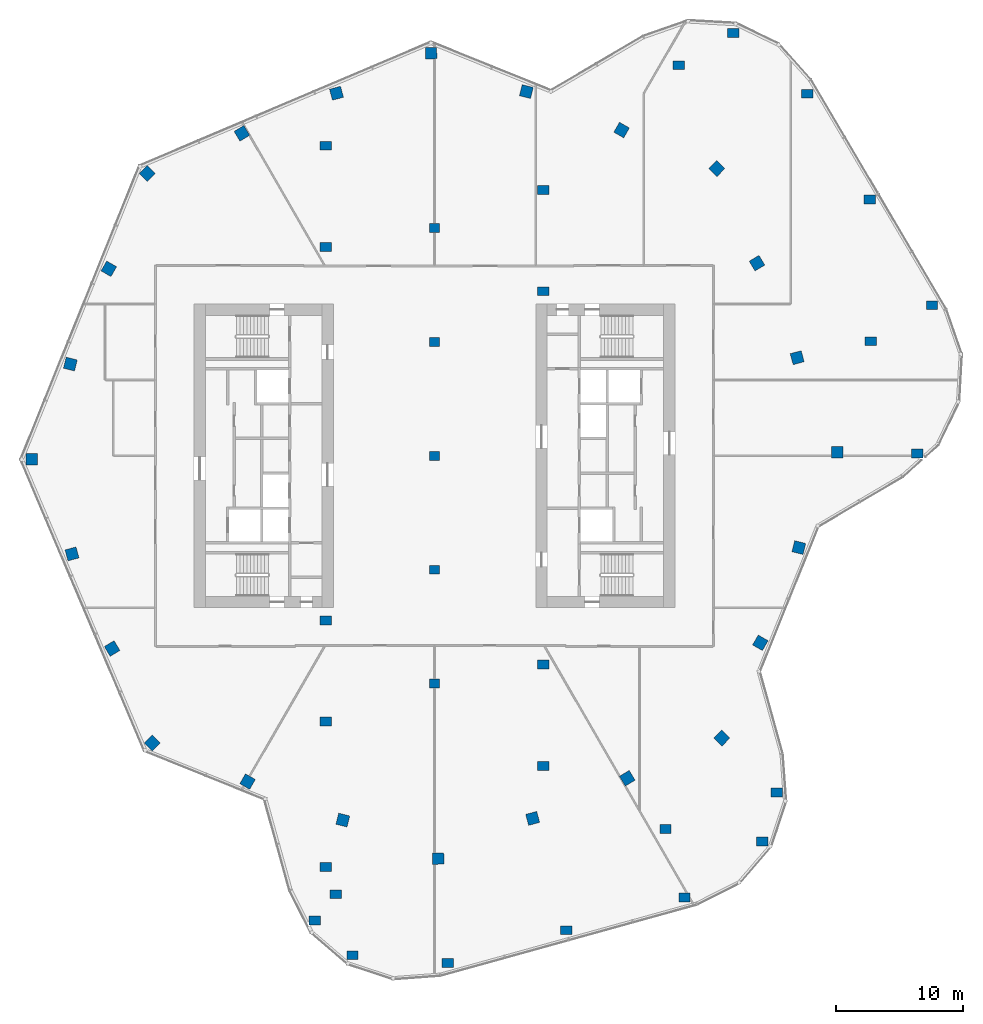
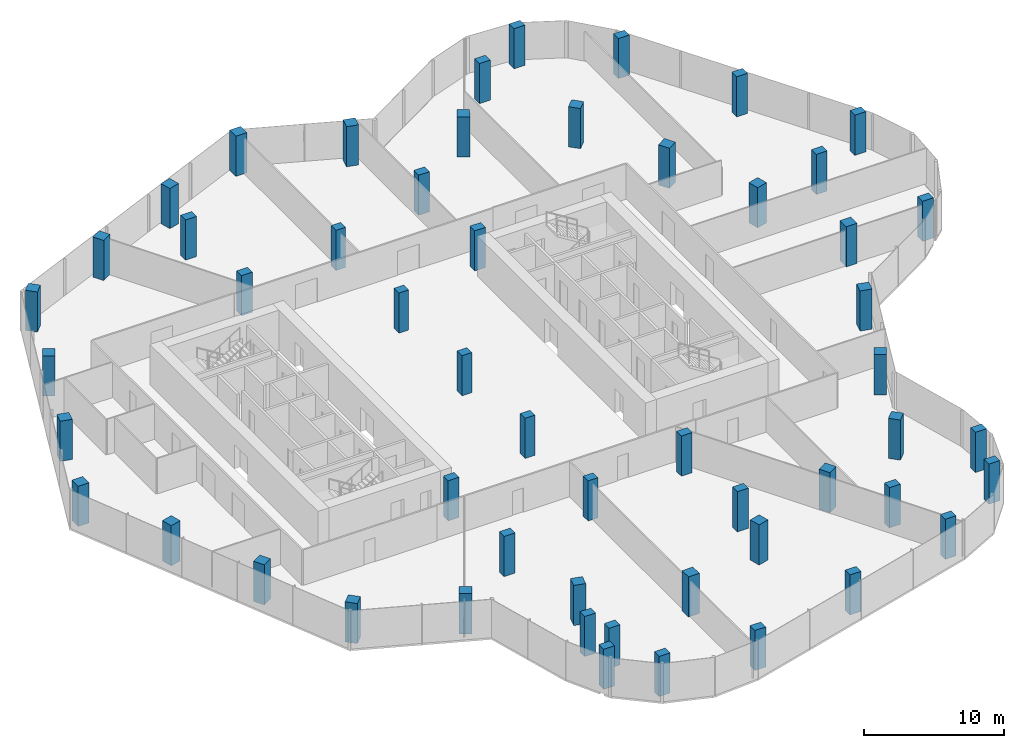
# One storey, part 1 of 16: 54 columns.
"""IFC4 building model written with IfcOpenShell, lengths in metres."""

from ifc_helpers import new_model, si_unit, direction, frame, origin, origin_2d, place, context, subcontext, project, spatial, rectangle, extrude, material, material_profile, profile_set, type_object, element, save


model = new_model("IFC4")

# Units and contexts
model_context = context("Model", 3, precision=1e-05, world=origin(), true_north=direction((0.0, 1.0)))
body_context = subcontext(model_context, "Body", "Model", "MODEL_VIEW")
ifc_project = project(units=[si_unit("LENGTHUNIT", "METRE"), si_unit("AREAUNIT", "SQUARE_METRE"), si_unit("VOLUMEUNIT", "CUBIC_METRE"), si_unit("PLANEANGLEUNIT", "RADIAN"), si_unit("MASSUNIT", "GRAM", prefix="KILO")], contexts=[model_context])

# Site, building, storey
site_placement = place(None, origin())
site = spatial("IfcSite", under=ifc_project, at=site_placement, CompositionType="ELEMENT")
building_placement = place(site_placement, origin())
building = spatial("IfcBuilding", under=site, at=building_placement, Name="Orlundy Tower", CompositionType="ELEMENT")
storey_placement = place(building_placement, frame((0.0, 0.0, 285.89990234375)))
storey = spatial("IfcBuildingStorey", under=building, at=storey_placement, Name="L76", CompositionType="ELEMENT", Elevation=285.89990234375)

# Columns
ifc_material_1 = material(Name="Concrete C50/60", Category="concrete")
ifc_material_profile_1 = material_profile(ifc_material_1, rectangle(XDim=0.800048828125, YDim=0.699951171875, at=origin_2d()), Name="RC800X700")
ifc_profile_set_1 = profile_set([ifc_material_profile_1], Name="Concrete C50/60")
column_type_1 = type_object("IfcColumnType", Name="RC COLUMN RC800X700 C50/60", PredefinedType="COLUMN", material=ifc_profile_set_1)
for number, where, z_axis, x_axis, name in (
    (1, (0.0, -18.0, 0.0), (0.0, 0.0, 1.0), (1.0, 0.0, 0.0), "Column C-M1 L76"),
    (2, (0.0, -9.0, 0.0), (0.0, 0.0, 1.0), (1.0, 0.0, 0.0), "Column C-M2 L76"),
    (3, (0.0, 0.0, 0.0), (0.0, 0.0, 1.0), (1.0, 0.0, 0.0), "Column C-M3 L76"),
    (4, (0.0, 9.0, 0.0), (0.0, 0.0, 1.0), (1.0, 0.0, 0.0), "Column C-M4 L76"),
    (5, (0.0, 18.0, 0.0), (0.0, 0.0, 1.0), (1.0, 0.0, 0.0), "Column C-M5 L76"),
):
    element("IfcColumn", number, at=place(storey_placement, frame(where, z_axis=z_axis, x_axis=x_axis)), inside=storey, type_object=column_type_1, Name=name, PredefinedType="COLUMN", context=body_context, shape_type="SweptSolid", body=[
        extrude(rectangle(XDim=0.800048828125, YDim=0.699951171875, at=origin_2d()), origin(), (0.0, 0.0, 1.0), 3.5),
    ])
ifc_material_2 = material(Name="Concrete C50/60", Category="concrete")
ifc_material_profile_2 = material_profile(ifc_material_2, rectangle(XDim=0.89990234375, YDim=0.699951171875, at=origin_2d()), Name="RC900X700")
ifc_profile_set_2 = profile_set([ifc_material_profile_2], Name="Concrete C50/60")
column_type_2 = type_object("IfcColumnType", Name="RC COLUMN RC900X700 C50/60", PredefinedType="COLUMN", material=ifc_profile_set_2)
for number, where, z_axis, x_axis, name in (
    (6, (38.1279296875, 0.195068359375, 0.0), (0.0, 0.0, 1.0), (1.0, 0.0, 0.0), "Column C-A1-1 L76"),
    (7, (39.302001953125, 11.89306640625, 0.0), (0.0, 0.0, 1.0), (1.0, 0.0, 0.0), "Column C-A2-5 L76"),
    (8, (34.47705078125, 9.051025390625, 0.0), (0.0, 0.0, 1.0), (1.0, 0.0, 0.0), "Column C-A2-6 L76"),
    (9, (34.37890625, 20.2509765625, 0.0), (0.0, 0.0, 1.0), (1.0, 0.0, 0.0), "Column C-A3-5 L76"),
    (10, (29.4560546875, 28.60888671875, 0.0), (0.0, 0.0, 1.0), (1.0, 0.0, 0.0), "Column C-A4-5 L76"),
    (11, (23.610107421875, 33.39697265625, 0.0), (0.0, 0.0, 1.0), (1.0, 0.0, 0.0), "Column C-A5-5 L76"),
    (12, (19.302001953125, 30.860107421875, 0.0), (0.0, 0.0, 1.0), (1.0, 0.0, 0.0), "Column C-A5-6 L76"),
    (13, (-9.468017578125, -36.7080078125, 0.0), (0.0, 0.0, 1.0), (1.0, 0.0, 0.0), "Column C-B1-1 L76"),
    (14, (-6.48388671875, -39.4609375, 0.0), (0.0, 0.0, 1.0), (1.0, 0.0, 0.0), "Column C-B1-5 L76"),
    (15, (-7.820068359375, -34.64306640625, 0.0), (0.0, 0.0, 1.0), (1.0, 0.0, 0.0), "Column C-B1-6 L76"),
    (16, (1.048095703125, -40.076904296875, 0.0), (0.0, 0.0, 1.0), (1.0, 0.0, 0.0), "Column C-B2-5 L76"),
    (17, (10.39599609375, -37.485107421875, 0.0), (0.0, 0.0, 1.0), (1.0, 0.0, 0.0), "Column C-B3-5 L76"),
    (18, (19.742919921875, -34.89306640625, 0.0), (0.0, 0.0, 1.0), (1.0, 0.0, 0.0), "Column C-B4-5 L76"),
    (19, (18.24609375, -29.4970703125, 0.0), (0.0, 0.0, 1.0), (1.0, 0.0, 0.0), "Column C-B4-6 L76"),
    (20, (27.02197265625, -26.589111328125, 0.0), (0.0, 0.0, 1.0), (1.0, 0.0, 0.0), "Column C-B5-1 L76"),
    (21, (25.881103515625, -30.485107421875, 0.0), (0.0, 0.0, 1.0), (1.0, 0.0, 0.0), "Column C-B5-5 L76"),
    (22, (8.60009765625, -24.5, 0.0), (0.0, 0.0, 1.0), (1.0, 0.0, 0.0), "Column C-SE2 L76"),
    (23, (8.60009765625, -16.5, 0.0), (0.0, 0.0, 1.0), (1.0, 0.0, 0.0), "Column C-SE3 L76"),
    (24, (8.60009765625, 13.0, 0.0), (0.0, 0.0, 1.0), (1.0, 0.0, 0.0), "Column C-SE4 L76"),
    (25, (8.60009765625, 21.0, 0.0), (0.0, 0.0, 1.0), (1.0, 0.0, 0.0), "Column C-SE5 L76"),
    (26, (-8.60009765625, 24.5, 0.0), (0.0, 0.0, 1.0), (1.0, 0.0, 0.0), "Column C-SW1 L76"),
    (27, (-8.60009765625, 16.5, 0.0), (0.0, 0.0, 1.0), (1.0, 0.0, 0.0), "Column C-SW2 L76"),
    (28, (-8.60009765625, -13.0, 0.0), (0.0, 0.0, 1.0), (1.0, 0.0, 0.0), "Column C-SW3 L76"),
    (29, (-8.60009765625, -21.0, 0.0), (0.0, 0.0, 1.0), (1.0, 0.0, 0.0), "Column C-SW4 L76"),
    (30, (-8.60009765625, -32.5, 0.0), (0.0, 0.0, 1.0), (1.0, 0.0, 0.0), "Column C-SW5 L76"),
):
    element("IfcColumn", number, at=place(storey_placement, frame(where, z_axis=z_axis, x_axis=x_axis)), inside=storey, type_object=column_type_2, Name=name, PredefinedType="COLUMN", context=body_context, shape_type="SweptSolid", body=[
        extrude(rectangle(XDim=0.89990234375, YDim=0.699951171875, at=origin_2d()), origin(), (0.0, 0.0, 1.0), 3.5),
    ])
ifc_material_3 = material(Name="Concrete C50/60", Category="concrete")
ifc_material_profile_3 = material_profile(ifc_material_3, rectangle(XDim=0.89990234375, YDim=0.89990234375, at=origin_2d()), Name="RC900X900")
ifc_profile_set_3 = profile_set([ifc_material_profile_3], Name="Concrete C50/60")
column_type_3 = type_object("IfcColumnType", Name="RC COLUMN RC900X900 C50/60", PredefinedType="COLUMN", material=ifc_profile_set_3)
for number, where, z_axis, x_axis, name in (
    (31, (-0.278076171875, 31.821044921875, 0.0), (0.0, 0.0, 1.0), (-0.008743988125, 0.999961770605, 0.0), "Column C-H01 L76"),
    (32, (7.25, 28.780029296875, 0.0), (0.0, 0.0, 1.0), (0.244275126238, 0.969705967137, 0.0), "Column C-H02 L76"),
    (33, (14.777099609375, 25.739013671875, 0.0), (0.0, 0.0, 1.0), (0.49789754642, 0.867235857924, 0.0), "Column C-H03 L76"),
    (34, (22.304931640625, 22.697021484375, 0.0), (0.0, 0.0, 1.0), (0.700921712762, 0.713238215871, 0.0), "Column C-H04 L76"),
    (35, (25.47705078125, 15.22412109375, 0.0), (0.0, 0.0, 1.0), (0.858414263358, 0.512957066881, 0.0), "Column C-H05 L76"),
    (36, (28.64892578125, 7.7509765625, 0.0), (0.0, 0.0, 1.0), (0.965295087436, 0.261161624617, 0.0), "Column C-H06 L76"),
    (37, (31.821044921875, 0.278076171875, 0.0), (0.0, 0.0, 1.0), (0.999961770605, 0.008743988125, 0.0), "Column C-H07 L76"),
    (38, (28.780029296875, -7.25, 0.0), (0.0, 0.0, 1.0), (0.969705967137, -0.244275126238, 0.0), "Column C-H08 L76"),
    (39, (25.739013671875, -14.777099609375, 0.0), (0.0, 0.0, 1.0), (0.867235857924, -0.49789754642, 0.0), "Column C-H09 L76"),
    (40, (22.697021484375, -22.304931640625, 0.0), (0.0, 0.0, 1.0), (0.713238215871, -0.700921712762, 0.0), "Column C-H10 L76"),
    (41, (15.22412109375, -25.47705078125, 0.0), (0.0, 0.0, 1.0), (0.512957066881, -0.858414263358, 0.0), "Column C-H11 L76"),
    (42, (7.7509765625, -28.64892578125, 0.0), (0.0, 0.0, 1.0), (0.261161624617, -0.965295087436, 0.0), "Column C-H12 L76"),
    (43, (0.278076171875, -31.821044921875, 0.0), (0.0, 0.0, 1.0), (0.008743988125, -0.999961770605, 0.0), "Column C-H13 L76"),
    (44, (-7.25, -28.780029296875, 0.0), (0.0, 0.0, 1.0), (-0.244275126238, -0.969705967137, 0.0), "Column C-H14 L76"),
    (45, (-14.777099609375, -25.739013671875, 0.0), (0.0, 0.0, 1.0), (-0.49789754642, -0.867235857924, 0.0), "Column C-H15 L76"),
    (46, (-22.304931640625, -22.697021484375, 0.0), (0.0, 0.0, 1.0), (-0.700921712762, -0.713238215871, 0.0), "Column C-H16 L76"),
    (47, (-25.47705078125, -15.22412109375, 0.0), (0.0, 0.0, 1.0), (-0.858414263358, -0.512957066881, 0.0), "Column C-H17 L76"),
    (48, (-28.64892578125, -7.7509765625, 0.0), (0.0, 0.0, 1.0), (-0.965295087436, -0.261161624617, 0.0), "Column C-H18 L76"),
    (49, (-31.821044921875, -0.278076171875, 0.0), (0.0, 0.0, 1.0), (-0.999961770605, -0.008743988125, 0.0), "Column C-H19 L76"),
    (50, (-28.780029296875, 7.25, 0.0), (0.0, 0.0, 1.0), (-0.969705967137, 0.244275126238, 0.0), "Column C-H20 L76"),
    (51, (-25.739013671875, 14.777099609375, 0.0), (0.0, 0.0, 1.0), (-0.867235857924, 0.49789754642, 0.0), "Column C-H21 L76"),
    (52, (-22.697021484375, 22.304931640625, 0.0), (0.0, 0.0, 1.0), (-0.713238215871, 0.700921712762, 0.0), "Column C-H22 L76"),
    (53, (-15.22412109375, 25.47705078125, 0.0), (0.0, 0.0, 1.0), (-0.512957066881, 0.858414263358, 0.0), "Column C-H23 L76"),
    (54, (-7.7509765625, 28.64892578125, 0.0), (0.0, 0.0, 1.0), (-0.261161624617, 0.965295087436, 0.0), "Column C-H24 L76"),
):
    element("IfcColumn", number, at=place(storey_placement, frame(where, z_axis=z_axis, x_axis=x_axis)), inside=storey, type_object=column_type_3, Name=name, PredefinedType="COLUMN", context=body_context, shape_type="SweptSolid", body=[
        extrude(rectangle(XDim=0.89990234375, YDim=0.89990234375, at=origin_2d()), origin(), (0.0, 0.0, 1.0), 3.5),
    ])

save(model, "model.ifc")
